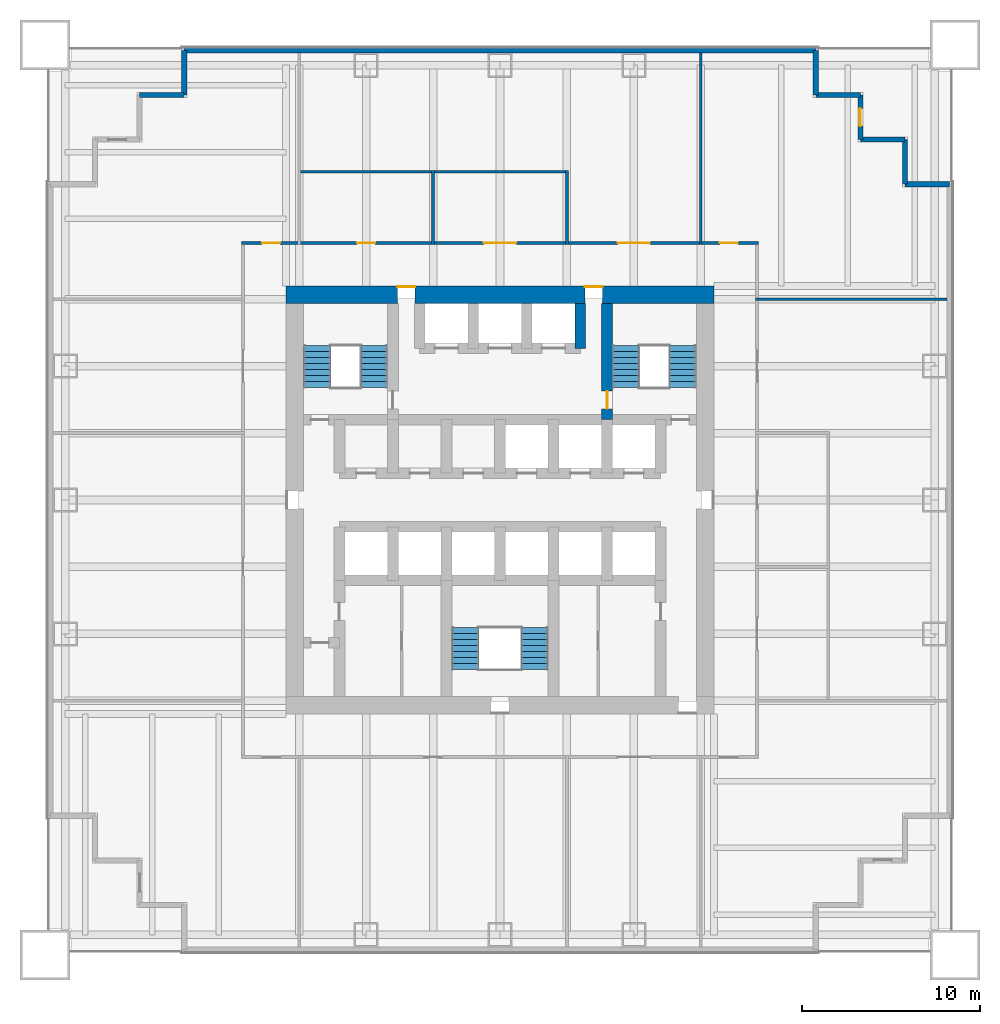
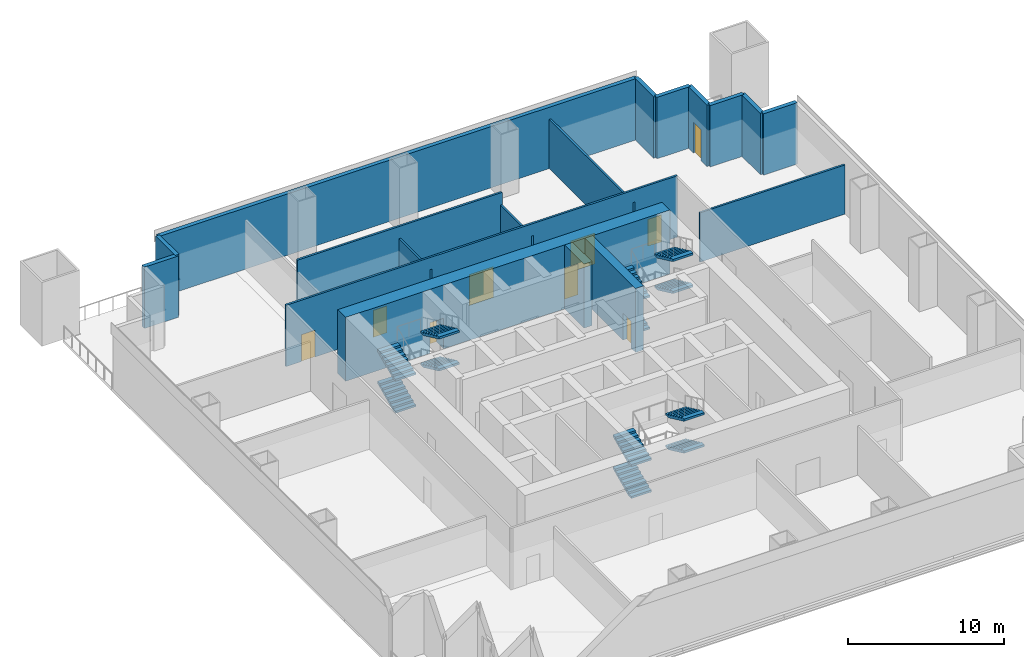
# One storey, part 4 of 6: 18 walls, 12 stair flights, 9 doors, 9 openings, 3 elements without a shape of their own.
"""IFC4 building model written with IfcOpenShell, lengths in metres."""

import ifcopenshell
import ifcopenshell.guid

model = None  # the IFC model being written
_history = None  # IfcOwnerHistory: only IFC2X3 demands one
_inside = {}  # id of a spatial element -> (the spatial element, [elements in it])
_under = {}  # id of a project, library or spatial element -> (it, [spatial elements below it])
_declared = {}  # id of a project -> (the project, [libraries it declares])
_typed = {}  # id of a type object -> (the type object, [elements of that type])
_made_of = {}  # id of a material, layer set ... -> (it, [elements and type objects made of it])


def new_model(schema):
    """Start an empty IFC model of exactly this schema.

    Asked for "IFC4X3", IfcOpenShell would pick the latest addendum, in which some entities
    have other attributes; the version numbers below select the first issue.
    IFC2X3 requires an IfcOwnerHistory on every rooted entity: one is made here for all.
    """
    global model, _history
    if schema == "IFC4X3":
        model = ifcopenshell.file(schema_version=(4, 3, 0, 0))
    else:
        model = ifcopenshell.file(schema=schema)
    _inside.clear()
    _under.clear()
    _declared.clear()
    _typed.clear()
    _made_of.clear()
    _history = None
    if model.schema == "IFC2X3":
        org = make("IfcOrganization", Name="unknown")
        user = make(
            "IfcPersonAndOrganization",
            ThePerson=make("IfcPerson", FamilyName="unknown"),
            TheOrganization=org,
        )
        app = make(
            "IfcApplication",
            ApplicationDeveloper=org,
            Version="unknown",
            ApplicationFullName="unknown",
            ApplicationIdentifier="unknown",
        )
        _history = make(
            "IfcOwnerHistory",
            OwningUser=user,
            OwningApplication=app,
            ChangeAction="ADDED",
            CreationDate=0,
        )
    return model


def make(cls, **values):
    """One entity of the class cls with the attributes given. An attribute that is None is left unset."""
    return model.create_entity(
        cls, **{name: value for name, value in values.items() if value is not None}
    )


def rooted(cls, **values):
    """An entity with a GlobalId (a new one), such as an element, a storey or a relation."""
    return make(cls, GlobalId=ifcopenshell.guid.new(), OwnerHistory=_history, **values)


def si_unit(unit_type, name, prefix=None):
    """IfcSIUnit, for example si_unit("LENGTHUNIT", "METRE", prefix="MILLI")."""
    return make("IfcSIUnit", UnitType=unit_type, Prefix=prefix, Name=name)


def assignment(units):
    """IfcUnitAssignment: the units of a project."""
    return None if units is None else make("IfcUnitAssignment", Units=units)


def point(xyz):
    """IfcCartesianPoint."""
    return None if xyz is None else make("IfcCartesianPoint", Coordinates=xyz)


def direction(xyz):
    """IfcDirection."""
    return None if xyz is None else make("IfcDirection", DirectionRatios=xyz)


def frame(location, z_axis=None, x_axis=None):
    """IfcAxis2Placement3D, a coordinate frame: its origin and axes. An axis left out is left unset."""
    return make(
        "IfcAxis2Placement3D",
        Location=point(location),
        Axis=direction(z_axis),
        RefDirection=direction(x_axis),
    )


def frame_2d(location, x_axis=None):
    """IfcAxis2Placement2D, a coordinate frame in the plane: its origin and x axis."""
    return make(
        "IfcAxis2Placement2D", Location=point(location), RefDirection=direction(x_axis)
    )


def origin():
    """The frame at (0, 0, 0) with its axes left unset."""
    return frame((0.0, 0.0, 0.0))


def place(relative_to, where):
    """IfcLocalPlacement: puts the frame where relative to a parent placement (None: the world)."""
    return make(
        "IfcLocalPlacement", PlacementRelTo=relative_to, RelativePlacement=where
    )


def context(
    kind, dimensions, precision=None, world=None, true_north=None, identifier=None
):
    """IfcGeometricRepresentationContext, for example the 3D "Model" context."""
    return make(
        "IfcGeometricRepresentationContext",
        ContextIdentifier=identifier,
        ContextType=kind,
        CoordinateSpaceDimension=dimensions,
        Precision=precision,
        WorldCoordinateSystem=world,
        TrueNorth=true_north,
    )


def subcontext(parent, identifier, kind, view, scale=None):
    """IfcGeometricRepresentationSubContext, for example "Body" below "Model"."""
    return make(
        "IfcGeometricRepresentationSubContext",
        ContextIdentifier=identifier,
        ContextType=kind,
        ParentContext=parent,
        TargetScale=scale,
        TargetView=view,
    )


def project(units=None, contexts=None):
    """IfcProject with its units and contexts."""
    return rooted(
        "IfcProject",
        Name="project",
        RepresentationContexts=contexts,
        UnitsInContext=assignment(units),
    )


def spatial(cls, under=None, at=None, **own):
    """A site, building, storey or space (cls), placed at a placement, below another one or the project."""
    s = rooted(cls, ObjectPlacement=at, **own)
    if under is not None:
        _under.setdefault(under.id(), (under, []))[1].append(s)
    return s


def polyline(points):
    """IfcPolyline through the points."""
    return make("IfcPolyline", Points=[point(p) for p in points])


def profile(cls, at=None, kind="AREA", **sizes):
    """A parametric profile (cls). Its sizes go by their IFC names, for example OverallWidth=200.0."""
    return make(cls, ProfileType=kind, Position=at, **sizes)


def rectangle(**sizes):
    """IfcRectangleProfileDef."""
    return profile("IfcRectangleProfileDef", **sizes)


def outline(outer, holes=None, kind="AREA"):
    """IfcArbitraryClosedProfileDef: a profile drawn as a closed curve; with holes, ...WithVoids."""
    if holes is None:
        return make("IfcArbitraryClosedProfileDef", ProfileType=kind, OuterCurve=outer)
    return make(
        "IfcArbitraryProfileDefWithVoids",
        ProfileType=kind,
        OuterCurve=outer,
        InnerCurves=holes,
    )


def extrude(swept, where, along, depth):
    """IfcExtrudedAreaSolid: the profile swept, set in the frame where, extruded along a direction by depth."""
    return make(
        "IfcExtrudedAreaSolid",
        SweptArea=swept,
        Position=where,
        ExtrudedDirection=direction(along),
        Depth=depth,
    )


def shape(context_of_items, identifier, shape_type, items):
    """IfcShapeRepresentation: the items that make up one representation, for example the "Body"."""
    return make(
        "IfcShapeRepresentation",
        ContextOfItems=context_of_items,
        RepresentationIdentifier=identifier,
        RepresentationType=shape_type,
        Items=items,
    )


def material(Name=None, Category=None):
    """IfcMaterial."""
    return make("IfcMaterial", Name=Name, Category=Category)


def layer(
    of_material, thickness, ventilated=None, Name=None, Category=None, Priority=None
):
    """IfcMaterialLayer: one layer of a wall or slab, of a material (None: an air gap)."""
    return make(
        "IfcMaterialLayer",
        Material=of_material,
        LayerThickness=thickness,
        IsVentilated=ventilated,
        Name=Name,
        Category=Category,
        Priority=Priority,
    )


def layer_set(layers, Name=None):
    """IfcMaterialLayerSet."""
    return make("IfcMaterialLayerSet", MaterialLayers=layers, LayerSetName=Name)


def made_of(thing, what):
    """Note that an element or type object is made of a material, layer set ...; save() writes the relation."""
    if what is not None:
        _made_of.setdefault(what.id(), (what, []))[1].append(thing)
    return thing


def type_object(cls, material=None, **own):
    """A type object (cls), such as IfcWallType, which elements share."""
    return made_of(rooted(cls, **own), material)


def element(
    cls,
    number,
    at=None,
    inside=None,
    cuts=None,
    type_object=None,
    material=None,
    context=None,
    identifier="Body",
    shape_type=None,
    held_by="IfcProductDefinitionShape",
    body=None,
    shapes=None,
    **own,
):
    """One element of the class cls, such as IfcWall. Its Tag is "e" and its number.

    at: its placement. inside: the storey or other place that contains it. cuts: it is an
    opening in that element (IfcRelVoidsElement). A single representation is given by context,
    identifier, shape_type and body (its items); several are given by shapes. held_by: the class
    of the entity that holds the representations. save() writes the other relations.
    """
    e = rooted(cls, Tag="e%d" % number, ObjectPlacement=at, **own)
    if body is not None:
        shapes = [shape(context, identifier, shape_type, body)]
    if shapes is not None:
        e.Representation = make(held_by, Representations=shapes)
    if inside is not None:
        _inside.setdefault(inside.id(), (inside, []))[1].append(e)
    if cuts is not None:
        rooted(
            "IfcRelVoidsElement", RelatingBuildingElement=cuts, RelatedOpeningElement=e
        )
    if type_object is not None:
        _typed.setdefault(type_object.id(), (type_object, []))[1].append(e)
    return made_of(e, material)


def fill(opening, filler):
    """IfcRelFillsElement: the door or window that sits in an opening."""
    return rooted(
        "IfcRelFillsElement",
        RelatingOpeningElement=opening,
        RelatedBuildingElement=filler,
    )


def aggregate(whole, parts):
    """IfcRelAggregates: a whole, such as a stair, and the parts it consists of."""
    return rooted("IfcRelAggregates", RelatingObject=whole, RelatedObjects=parts)


def save(model, path):
    """Write the relations noted so far, then the file.

    IfcRelAggregates (storeys below a building ...), IfcRelContainedInSpatialStructure (elements
    in a storey), IfcRelDefinesByType, IfcRelAssociatesMaterial and IfcRelDeclares: one each for
    every whole, place, type object, material and project.
    """
    for whole, parts in _under.values():
        aggregate(whole, parts)
    for where, things in _inside.values():
        rooted(
            "IfcRelContainedInSpatialStructure",
            RelatedElements=things,
            RelatingStructure=where,
        )
    for kind, things in _typed.values():
        rooted("IfcRelDefinesByType", RelatedObjects=things, RelatingType=kind)
    for what, things in _made_of.values():
        rooted("IfcRelAssociatesMaterial", RelatedObjects=things, RelatingMaterial=what)
    for by, libraries in _declared.values():
        rooted("IfcRelDeclares", RelatingContext=by, RelatedDefinitions=libraries)
    model.write(path)


model = new_model("IFC4")

# Units and contexts
model_context = context("Model", 3, precision=1e-05, world=origin(), true_north=direction((0.0, 1.0)))
body_context = subcontext(model_context, "Body", "Model", "MODEL_VIEW")
ifc_project = project(units=[si_unit("LENGTHUNIT", "METRE"), si_unit("AREAUNIT", "SQUARE_METRE"), si_unit("VOLUMEUNIT", "CUBIC_METRE"), si_unit("PLANEANGLEUNIT", "RADIAN"), si_unit("MASSUNIT", "GRAM", prefix="KILO")], contexts=[model_context])

# Site, building, storey
site_placement = place(None, origin())
site = spatial("IfcSite", under=ifc_project, at=site_placement, CompositionType="ELEMENT")
building_placement = place(site_placement, origin())
building = spatial("IfcBuilding", under=site, at=building_placement, Name="Tarangal Relay Tower", CompositionType="ELEMENT")
storey_placement = place(building_placement, frame((0.0, 0.0, 53.39990234375)))
storey = spatial("IfcBuildingStorey", under=building, at=storey_placement, Name="L10", CompositionType="ELEMENT", Elevation=53.39990234375)

# Wall, opening, door
ifc_material_1 = material(Name="Concrete fc' 60 MPa", Category="concrete")
ifc_layer_1 = layer(ifc_material_1, 0.60009765625)
ifc_layer_set_1 = layer_set([ifc_layer_1], Name="Core inner wall 600")
wall_type_1 = type_object("IfcWallType", Name="Core inner wall 600", PredefinedType="SHEAR", material=ifc_layer_set_1)
wall_1_placement = place(storey_placement, frame((6.0, 4.5, 0.0), z_axis=(0.0, 0.0, 1.0), x_axis=(0.0, 1.0, 0.0)))
wall_1 = element("IfcWall", 1, at=wall_1_placement, inside=storey, type_object=wall_type_1, Name="Core wall X6 L10", PredefinedType="SHEAR", context=body_context, shape_type="SweptSolid", body=[
    extrude(rectangle(XDim=6.5, YDim=0.60009765625, at=frame_2d((3.25, 0.0))), origin(), (0.0, 0.0, 1.0), 5.0),
])
opening_1_placement = place(wall_1_placement, frame((0.60009765625, 0.0, 0.0)))
opening_1 = element("IfcOpeningElement", 2, at=opening_1_placement, cuts=wall_1, Name="Opening FD1", PredefinedType="OPENING", context=body_context, shape_type="SweptSolid", body=[
    extrude(rectangle(XDim=1.0, YDim=2.10009765625, at=frame_2d((0.5, 1.050048828125))), frame((0.0, 0.31005859375, 0.0), z_axis=(0.0, -1.0, 0.0), x_axis=(1.0, 0.0, 0.0)), (0.0, 0.0, 1.0), 0.6201171875),
])
ifc_material_2 = material(Name="Steel door with hardwood frame", Category="steel")
door_type_1 = type_object("IfcDoorType", Name="Fire door 1000 x 2100", OperationType="SINGLE_SWING_LEFT", PredefinedType="DOOR", material=ifc_material_2)
door_1_placement = place(opening_1_placement, origin())
door_1 = element("IfcDoor", 3, at=door_1_placement, inside=storey, type_object=door_type_1, Name="Stair ST-B door from fire-fighting lobby L10", OperationType="SINGLE_SWING_LEFT", OverallHeight=2.10009765625, OverallWidth=1.0, PredefinedType="DOOR", context=body_context, shape_type="SweptSolid", body=[
    extrude(rectangle(XDim=1.0, YDim=2.10009765625, at=frame_2d((0.5, 1.050048828125))), frame((0.0, 0.02490234375, 0.0), z_axis=(0.0, -1.0, 0.0), x_axis=(1.0, 0.0, 0.0)), (0.0, 0.0, 1.0), 0.050048828125),
])
fill(opening_1, door_1)

# Wall
wall_2_placement = place(storey_placement, frame((4.5, 8.5, 0.0), z_axis=(0.0, 0.0, 1.0), x_axis=(0.0, 1.0, 0.0)))
element("IfcWall", 4, at=wall_2_placement, inside=storey, type_object=wall_type_1, Name="Core wall X45 L10", PredefinedType="SHEAR", context=body_context, shape_type="SweptSolid", body=[
    extrude(rectangle(XDim=2.5, YDim=0.60009765625, at=frame_2d((1.25, 0.0))), origin(), (0.0, 0.0, 1.0), 5.0),
])

# Wall, openings, doors
ifc_layer_2 = layer(ifc_material_1, 1.0)
ifc_layer_set_2 = layer_set([ifc_layer_2], Name="Core wall 1000")
wall_type_2 = type_object("IfcWallType", Name="Core wall 1000", PredefinedType="SHEAR", material=ifc_layer_set_2)
wall_3_placement = place(storey_placement, frame((-12.0, 11.5, 0.0), z_axis=(0.0, 0.0, 1.0), x_axis=(1.0, 0.0, 0.0)))
wall_3 = element("IfcWall", 5, at=wall_3_placement, inside=storey, type_object=wall_type_2, Name="Core wall N L10", PredefinedType="SHEAR", context=body_context, shape_type="SweptSolid", body=[
    extrude(rectangle(XDim=24.0, YDim=1.0, at=frame_2d((12.0, 0.0))), origin(), (0.0, 0.0, 1.0), 5.0),
])
opening_2_placement = place(wall_3_placement, frame((6.25, 0.0, 0.0)))
opening_2 = element("IfcOpeningElement", 6, at=opening_2_placement, cuts=wall_3, Name="Opening FD3", PredefinedType="OPENING", context=body_context, shape_type="SweptSolid", body=[
    extrude(rectangle(XDim=1.0, YDim=2.39990234375, at=frame_2d((0.5, 1.199951171875))), frame((0.0, 0.510009765625, 0.0), z_axis=(0.0, -1.0, 0.0), x_axis=(1.0, 0.0, 0.0)), (0.0, 0.0, 1.0), 1.02001953125),
])
opening_3_placement = place(wall_3_placement, frame((16.75, 0.0, 0.0)))
opening_3 = element("IfcOpeningElement", 7, at=opening_3_placement, cuts=wall_3, Name="Opening FD3", PredefinedType="OPENING", context=body_context, shape_type="SweptSolid", body=[
    extrude(rectangle(XDim=1.0, YDim=2.39990234375, at=frame_2d((0.5, 1.199951171875))), frame((0.0, 0.510009765625, 0.0), z_axis=(0.0, -1.0, 0.0), x_axis=(1.0, 0.0, 0.0)), (0.0, 0.0, 1.0), 1.02001953125),
])
door_type_2 = type_object("IfcDoorType", Name="Fire door 1000 x 2400 core entry", OperationType="SINGLE_SWING_RIGHT", PredefinedType="DOOR", material=ifc_material_2)
door_2_placement = place(opening_2_placement, origin())
door_2 = element("IfcDoor", 8, at=door_2_placement, inside=storey, type_object=door_type_2, Name="Core entry door north west L10", OperationType="SINGLE_SWING_RIGHT", OverallHeight=2.39990234375, OverallWidth=1.0, PredefinedType="DOOR", context=body_context, shape_type="SweptSolid", body=[
    extrude(rectangle(XDim=1.0, YDim=2.39990234375, at=frame_2d((0.5, 1.199951171875))), frame((0.0, 0.48486328125, 0.0), z_axis=(0.0, -1.0, 0.0), x_axis=(1.0, 0.0, 0.0)), (0.0, 0.0, 1.0), 0.050048828125),
])
fill(opening_2, door_2)
door_3_placement = place(opening_3_placement, origin())
door_3 = element("IfcDoor", 9, at=door_3_placement, inside=storey, type_object=door_type_2, Name="Core entry door north east L10", OperationType="SINGLE_SWING_RIGHT", OverallHeight=2.39990234375, OverallWidth=1.0, PredefinedType="DOOR", context=body_context, shape_type="SweptSolid", body=[
    extrude(rectangle(XDim=1.0, YDim=2.39990234375, at=frame_2d((0.5, 1.199951171875))), frame((0.0, 0.48486328125, 0.0), z_axis=(0.0, -1.0, 0.0), x_axis=(1.0, 0.0, 0.0)), (0.0, 0.0, 1.0), 0.050048828125),
])
fill(opening_3, door_3)

# Walls
ifc_material_3 = material(Name="Insulated precast concrete fc' 40 MPa", Category="concrete")
ifc_layer_3 = layer(ifc_material_3, 0.300048828125)
ifc_layer_set_3 = layer_set([ifc_layer_3], Name="Insulated precast concrete fc' 40 MPa")
wall_type_3 = type_object("IfcWallType", Name="Facade wall precast 300", PredefinedType="SOLIDWALL", material=ifc_layer_set_3)
wall_4_placement = place(storey_placement, frame((-17.699951171875, 25.199951171875, 0.0), z_axis=(0.0, 0.0, 1.0), x_axis=(1.0, 0.0, 0.0)))
element("IfcWall", 10, at=wall_4_placement, inside=storey, type_object=wall_type_3, Name="Facade wall N facade L10", PredefinedType="SOLIDWALL", context=body_context, shape_type="SweptSolid", body=[
    extrude(rectangle(XDim=35.39990234375, YDim=0.300048828125, at=frame_2d((17.699951171875, 0.0))), origin(), (0.0, 0.0, 1.0), 4.800048828125),
])
for number, where, z_axis, x_axis, name in (
    (11, (17.699951171875, 25.199951171875, 0.0), (0.0, 0.0, 1.0), (0.0, -1.0, 0.0), "Facade wall N facade L10"),
    (12, (17.699951171875, 22.699951171875, 0.0), (0.0, 0.0, 1.0), (1.0, 0.0, 0.0), "Facade wall N facade L10"),
):
    element("IfcWall", number, at=place(storey_placement, frame(where, z_axis=z_axis, x_axis=x_axis)), inside=storey, type_object=wall_type_3, Name=name, PredefinedType="SOLIDWALL", context=body_context, shape_type="SweptSolid", body=[
        extrude(rectangle(XDim=2.5, YDim=0.300048828125, at=frame_2d((1.25, 0.0))), origin(), (0.0, 0.0, 1.0), 4.800048828125),
    ])

# Wall, opening, door
wall_5_placement = place(storey_placement, frame((20.199951171875, 22.699951171875, 0.0), z_axis=(0.0, 0.0, 1.0), x_axis=(0.0, -1.0, 0.0)))
wall_5 = element("IfcWall", 13, at=wall_5_placement, inside=storey, type_object=wall_type_3, Name="Facade wall N facade L10", PredefinedType="SOLIDWALL", context=body_context, shape_type="SweptSolid", body=[
    extrude(rectangle(XDim=2.5, YDim=0.300048828125, at=frame_2d((1.25, 0.0))), origin(), (0.0, 0.0, 1.0), 4.800048828125),
])
opening_4_placement = place(wall_5_placement, frame((0.75, 0.0, 0.0)))
opening_4 = element("IfcOpeningElement", 14, at=opening_4_placement, cuts=wall_5, Name="Opening TD1", PredefinedType="OPENING", context=body_context, shape_type="SweptSolid", body=[
    extrude(rectangle(XDim=1.0, YDim=2.39990234375, at=frame_2d((0.5, 1.199951171875))), frame((0.0, 0.159912109375, 0.0), z_axis=(0.0, -1.0, 0.0), x_axis=(1.0, 0.0, 0.0)), (0.0, 0.0, 1.0), 0.320068359375),
])
ifc_material_4 = material(Name="Aluminium glazed door", Category="aluminium")
door_type_3 = type_object("IfcDoorType", Name="Terrace door 1000 x 2400", OperationType="SINGLE_SWING_RIGHT", PredefinedType="DOOR", material=ifc_material_4)
door_4_placement = place(opening_4_placement, origin())
door_4 = element("IfcDoor", 15, at=door_4_placement, inside=storey, type_object=door_type_3, Name="Terrace door TD1 NE L10", OperationType="SINGLE_SWING_RIGHT", OverallHeight=2.39990234375, OverallWidth=1.0, PredefinedType="DOOR", context=body_context, shape_type="SweptSolid", body=[
    extrude(rectangle(XDim=1.0, YDim=2.39990234375, at=frame_2d((0.5, 1.199951171875))), frame((0.0, 0.02490234375, 0.0), z_axis=(0.0, -1.0, 0.0), x_axis=(1.0, 0.0, 0.0)), (0.0, 0.0, 1.0), 0.050048828125),
])
fill(opening_4, door_4)

# Walls
for number, where, z_axis, x_axis, name in (
    (16, (20.199951171875, 20.199951171875, 0.0), (0.0, 0.0, 1.0), (1.0, 0.0, 0.0), "Facade wall N facade L10"),
    (17, (22.699951171875, 20.199951171875, 0.0), (0.0, 0.0, 1.0), (0.0, -1.0, 0.0), "Facade wall N facade L10"),
    (18, (22.699951171875, 17.699951171875, 0.0), (0.0, 0.0, 1.0), (1.0, 0.0, 0.0), "Facade wall N facade L10"),
    (19, (-20.199951171875, 22.699951171875, 0.0), (0.0, 0.0, 1.0), (1.0, 0.0, 0.0), "Facade wall W facade L10"),
    (20, (-17.699951171875, 22.699951171875, 0.0), (0.0, 0.0, 1.0), (0.0, 1.0, 0.0), "Facade wall W facade L10"),
):
    element("IfcWall", number, at=place(storey_placement, frame(where, z_axis=z_axis, x_axis=x_axis)), inside=storey, type_object=wall_type_3, Name=name, PredefinedType="SOLIDWALL", context=body_context, shape_type="SweptSolid", body=[
        extrude(rectangle(XDim=2.5, YDim=0.300048828125, at=frame_2d((1.25, 0.0))), origin(), (0.0, 0.0, 1.0), 4.800048828125),
    ])
ifc_material_5 = material(Name="Gypsum board on steel studs", Category="steel")
ifc_layer_4 = layer(ifc_material_5, 0.14990234375)
ifc_layer_set_4 = layer_set([ifc_layer_4], Name="Partition 150")
wall_type_4 = type_object("IfcWallType", Name="Partition 150", PredefinedType="PARTITIONING", material=ifc_layer_set_4)
wall_6_placement = place(storey_placement, frame((14.324951171875, 11.25, 0.0), z_axis=(0.0, 0.0, 1.0), x_axis=(1.0, 0.0, 0.0)))
element("IfcWall", 21, at=wall_6_placement, inside=storey, type_object=wall_type_4, Name="Partition PT1 L10", PredefinedType="PARTITIONING", context=body_context, shape_type="SweptSolid", body=[
    extrude(rectangle(XDim=10.72509765625, YDim=0.14990234375, at=frame_2d((5.362548828125, 0.0))), origin(), (0.0, 0.0, 1.0), 3.852783203125),
])

# Wall, openings, doors
wall_7_placement = place(storey_placement, frame((-14.47509765625, 14.39990234375, 0.0), z_axis=(0.0, 0.0, 1.0), x_axis=(1.0, 0.0, 0.0)))
wall_7 = element("IfcWall", 22, at=wall_7_placement, inside=storey, type_object=wall_type_4, Name="Partition PT1 L10", PredefinedType="PARTITIONING", context=body_context, shape_type="SweptSolid", body=[
    extrude(rectangle(XDim=28.9501953125, YDim=0.14990234375, at=frame_2d((14.47509765625, 0.0))), origin(), (0.0, 0.0, 1.0), 4.800048828125),
])
opening_5_placement = place(wall_7_placement, frame((6.47509765625, 0.0, 0.0)))
opening_5 = element("IfcOpeningElement", 23, at=opening_5_placement, cuts=wall_7, Name="Opening D2", PredefinedType="OPENING", context=body_context, shape_type="SweptSolid", body=[
    extrude(rectangle(XDim=1.0, YDim=2.10009765625, at=frame_2d((0.5, 1.050048828125))), frame((0.0, 0.0849609375, 0.0), z_axis=(0.0, -1.0, 0.0), x_axis=(1.0, 0.0, 0.0)), (0.0, 0.0, 1.0), 0.169921875),
])
opening_6_placement = place(wall_7_placement, frame((21.074951171875, 0.0, 0.0)))
opening_6 = element("IfcOpeningElement", 24, at=opening_6_placement, cuts=wall_7, Name="Opening DD1", PredefinedType="OPENING", context=body_context, shape_type="SweptSolid", body=[
    extrude(rectangle(XDim=1.800048828125, YDim=2.39990234375, at=frame_2d((0.89990234375, 1.199951171875))), frame((0.0, 0.0849609375, 0.0), z_axis=(0.0, -1.0, 0.0), x_axis=(1.0, 0.0, 0.0)), (0.0, 0.0, 1.0), 0.169921875),
])
opening_7_placement = place(wall_7_placement, frame((13.574951171875, 0.0, 0.0)))
opening_7 = element("IfcOpeningElement", 25, at=opening_7_placement, cuts=wall_7, Name="Opening DD1", PredefinedType="OPENING", context=body_context, shape_type="SweptSolid", body=[
    extrude(rectangle(XDim=1.800048828125, YDim=2.39990234375, at=frame_2d((0.89990234375, 1.199951171875))), frame((0.0, 0.0849609375, 0.0), z_axis=(0.0, -1.0, 0.0), x_axis=(1.0, 0.0, 0.0)), (0.0, 0.0, 1.0), 0.169921875),
])
opening_8_placement = place(wall_7_placement, frame((26.800048828125, 0.0, 0.0)))
opening_8 = element("IfcOpeningElement", 26, at=opening_8_placement, cuts=wall_7, Name="Opening D2", PredefinedType="OPENING", context=body_context, shape_type="SweptSolid", body=[
    extrude(rectangle(XDim=1.0, YDim=2.10009765625, at=frame_2d((0.5, 1.050048828125))), frame((0.0, 0.0849609375, 0.0), z_axis=(0.0, -1.0, 0.0), x_axis=(1.0, 0.0, 0.0)), (0.0, 0.0, 1.0), 0.169921875),
])
opening_9_placement = place(wall_7_placement, frame((1.14990234375, 0.0, 0.0)))
opening_9 = element("IfcOpeningElement", 27, at=opening_9_placement, cuts=wall_7, Name="Opening D2", PredefinedType="OPENING", context=body_context, shape_type="SweptSolid", body=[
    extrude(rectangle(XDim=1.0, YDim=2.10009765625, at=frame_2d((0.5, 1.050048828125))), frame((0.0, 0.0849609375, 0.0), z_axis=(0.0, -1.0, 0.0), x_axis=(1.0, 0.0, 0.0)), (0.0, 0.0, 1.0), 0.169921875),
])
ifc_material_6 = material(Name="Hardwood door", Category="wood")
door_type_4 = type_object("IfcDoorType", Name="Door 1000 x 2100", OperationType="SINGLE_SWING_LEFT", PredefinedType="DOOR", material=ifc_material_6)
door_5_placement = place(opening_5_placement, origin())
door_5 = element("IfcDoor", 28, at=door_5_placement, inside=storey, type_object=door_type_4, Name="Door D2 to customer meeting room L10-02", OperationType="SINGLE_SWING_LEFT", OverallHeight=2.10009765625, OverallWidth=1.0, PredefinedType="DOOR", context=body_context, shape_type="SweptSolid", body=[
    extrude(rectangle(XDim=1.0, YDim=2.10009765625, at=frame_2d((0.5, 1.050048828125))), frame((0.0, 0.02490234375, 0.0), z_axis=(0.0, -1.0, 0.0), x_axis=(1.0, 0.0, 0.0)), (0.0, 0.0, 1.0), 0.050048828125),
])
fill(opening_5, door_5)
door_6_placement = place(opening_8_placement, origin())
door_6 = element("IfcDoor", 29, at=door_6_placement, inside=storey, type_object=door_type_4, Name="Door D2 to customer office L10-12", OperationType="SINGLE_SWING_LEFT", OverallHeight=2.10009765625, OverallWidth=1.0, PredefinedType="DOOR", context=body_context, shape_type="SweptSolid", body=[
    extrude(rectangle(XDim=1.0, YDim=2.10009765625, at=frame_2d((0.5, 1.050048828125))), frame((0.0, 0.02490234375, 0.0), z_axis=(0.0, -1.0, 0.0), x_axis=(1.0, 0.0, 0.0)), (0.0, 0.0, 1.0), 0.050048828125),
])
fill(opening_8, door_6)
door_7_placement = place(opening_9_placement, origin())
door_7 = element("IfcDoor", 30, at=door_7_placement, inside=storey, type_object=door_type_4, Name="Door D2 to network operations room L10-15", OperationType="SINGLE_SWING_LEFT", OverallHeight=2.10009765625, OverallWidth=1.0, PredefinedType="DOOR", context=body_context, shape_type="SweptSolid", body=[
    extrude(rectangle(XDim=1.0, YDim=2.10009765625, at=frame_2d((0.5, 1.050048828125))), frame((0.0, 0.02490234375, 0.0), z_axis=(0.0, -1.0, 0.0), x_axis=(1.0, 0.0, 0.0)), (0.0, 0.0, 1.0), 0.050048828125),
])
fill(opening_9, door_7)
door_type_5 = type_object("IfcDoorType", Name="Equipment double door 1800 x 2400", OperationType="DOUBLE_DOOR_SINGLE_SWING", PredefinedType="DOOR", material=ifc_material_2)
door_8_placement = place(opening_6_placement, origin())
door_8 = element("IfcDoor", 31, at=door_8_placement, inside=storey, type_object=door_type_5, Name="Door DD1 to data hall L10-03", OperationType="DOUBLE_DOOR_SINGLE_SWING", OverallHeight=2.39990234375, OverallWidth=1.800048828125, PredefinedType="DOOR", context=body_context, shape_type="SweptSolid", body=[
    extrude(rectangle(XDim=1.800048828125, YDim=2.39990234375, at=frame_2d((0.89990234375, 1.199951171875))), frame((0.0, 0.02490234375, 0.0), z_axis=(0.0, -1.0, 0.0), x_axis=(1.0, 0.0, 0.0)), (0.0, 0.0, 1.0), 0.050048828125),
])
fill(opening_6, door_8)
door_9_placement = place(opening_7_placement, origin())
door_9 = element("IfcDoor", 32, at=door_9_placement, inside=storey, type_object=door_type_5, Name="Door DD1 to network equipment room L10-04", OperationType="DOUBLE_DOOR_SINGLE_SWING", OverallHeight=2.39990234375, OverallWidth=1.800048828125, PredefinedType="DOOR", context=body_context, shape_type="SweptSolid", body=[
    extrude(rectangle(XDim=1.800048828125, YDim=2.39990234375, at=frame_2d((0.89990234375, 1.199951171875))), frame((0.0, 0.02490234375, 0.0), z_axis=(0.0, -1.0, 0.0), x_axis=(1.0, 0.0, 0.0)), (0.0, 0.0, 1.0), 0.050048828125),
])
fill(opening_7, door_9)

# Walls
wall_8_placement = place(storey_placement, frame((-11.324951171875, 18.39990234375, 0.0), z_axis=(0.0, 0.0, 1.0), x_axis=(1.0, 0.0, 0.0)))
element("IfcWall", 33, at=wall_8_placement, inside=storey, type_object=wall_type_4, Name="Partition PT1 L10", PredefinedType="PARTITIONING", context=body_context, shape_type="SweptSolid", body=[
    extrude(rectangle(XDim=15.14990234375, YDim=0.14990234375, at=frame_2d((7.574951171875, 0.0))), origin(), (0.0, 0.0, 1.0), 4.800048828125),
])
for number, where, z_axis, x_axis, name in (
    (34, (-3.75, 14.324951171875, 0.0), (0.0, 0.0, 1.0), (0.0, 1.0, 0.0), "Partition PT1 L10"),
    (35, (3.75, 14.324951171875, 0.0), (0.0, 0.0, 1.0), (0.0, 1.0, 0.0), "Partition PT1 L10"),
):
    element("IfcWall", number, at=place(storey_placement, frame(where, z_axis=z_axis, x_axis=x_axis)), inside=storey, type_object=wall_type_4, Name=name, PredefinedType="PARTITIONING", context=body_context, shape_type="SweptSolid", body=[
        extrude(rectangle(XDim=4.150146484375, YDim=0.14990234375, at=frame_2d((2.0751953125, 0.0))), origin(), (0.0, 0.0, 1.0), 3.852783203125),
    ])
wall_9_placement = place(storey_placement, frame((11.25, 14.324951171875, 0.0), z_axis=(0.0, 0.0, 1.0), x_axis=(0.0, 1.0, 0.0)))
element("IfcWall", 36, at=wall_9_placement, inside=storey, type_object=wall_type_4, Name="Partition PT1 L10", PredefinedType="PARTITIONING", context=body_context, shape_type="SweptSolid", body=[
    extrude(rectangle(XDim=10.72509765625, YDim=0.14990234375, at=frame_2d((5.362548828125, 0.0))), origin(), (0.0, 0.0, 1.0), 3.852783203125),
])

# Stair, stair flights
ifc_material_7 = material(Name="Steel ASTM A992 stair flight", Category="steel")
stair_type = type_object("IfcStairType", Name="Core stair 1500", PredefinedType="HALF_TURN_STAIR", material=ifc_material_7)
stair_1_placement = place(storey_placement, origin())
stair_1 = element("IfcStair", 37, at=stair_1_placement, inside=storey, type_object=stair_type, Name="Stair ST-A L10", PredefinedType="HALF_TURN_STAIR")
stair_flight_type = type_object("IfcStairFlightType", Name="Steel stair flight 1500, 8 risers 156 x 335", PredefinedType="STRAIGHT", material=ifc_material_7)
stair_flight_1_placement = place(storey_placement, frame((-10.25, 6.300048828125, 0.0), z_axis=(0.0, 0.0, 1.0), x_axis=(0.0, 1.0, 0.0)))
stair_flight_1 = element("IfcStairFlight", 38, at=stair_flight_1_placement, type_object=stair_flight_type, Name="ST-A flight 1", NumberOfRisers=8, NumberOfTreads=7, PredefinedType="STRAIGHT", RiserHeight=0.15625, TreadLength=0.335, context=body_context, shape_type="SweptSolid", body=[
    extrude(outline(polyline([(0.0, 0.0), (0.0, 0.15625), (0.3349609375, 0.15625), (0.3349609375, 0.3125), (0.669921875, 0.3125), (0.669921875, 0.46875), (1.0048828125, 0.46875), (1.0048828125, 0.625), (1.340087890625, 0.625), (1.340087890625, 0.78125), (1.675048828125, 0.78125), (1.675048828125, 0.9375), (2.010009765625, 0.9375), (2.010009765625, 1.09375), (2.344970703125, 1.09375), (2.344970703125, 1.25), (2.344970703125, 0.92822265625), (0.354736328125, 0.0), (0.0, 0.0)])), frame((0.0, 0.75, 0.0), z_axis=(0.0, -1.0, 0.0), x_axis=(1.0, 0.0, 0.0)), (0.0, 0.0, 1.0), 1.5),
])
stair_flight_2_placement = place(storey_placement, frame((-7.050048828125, 8.64501953125, 1.25), z_axis=(0.0, 0.0, 1.0), x_axis=(0.0, -1.0, 0.0)))
stair_flight_2 = element("IfcStairFlight", 39, at=stair_flight_2_placement, type_object=stair_flight_type, Name="ST-A flight 2", NumberOfRisers=8, NumberOfTreads=7, PredefinedType="STRAIGHT", RiserHeight=0.15625, TreadLength=0.335, context=body_context, shape_type="SweptSolid", body=[
    extrude(outline(polyline([(0.0, 0.0), (0.0, 0.15625), (0.3349609375, 0.15625), (0.3349609375, 0.3125), (0.669921875, 0.3125), (0.669921875, 0.46875), (1.0048828125, 0.46875), (1.0048828125, 0.625), (1.340087890625, 0.625), (1.340087890625, 0.78125), (1.675048828125, 0.78125), (1.675048828125, 0.9375), (2.010009765625, 0.9375), (2.010009765625, 1.09375), (2.344970703125, 1.09375), (2.344970703125, 1.25), (2.344970703125, 0.92822265625), (0.354736328125, 0.0), (0.0, 0.0)])), frame((0.0, 0.75, 0.0), z_axis=(0.0, -1.0, 0.0), x_axis=(1.0, 0.0, 0.0)), (0.0, 0.0, 1.0), 1.5),
])
stair_flight_3_placement = place(storey_placement, frame((-10.25, 6.300048828125, 2.5), z_axis=(0.0, 0.0, 1.0), x_axis=(0.0, 1.0, 0.0)))
stair_flight_3 = element("IfcStairFlight", 40, at=stair_flight_3_placement, type_object=stair_flight_type, Name="ST-A flight 3", NumberOfRisers=8, NumberOfTreads=7, PredefinedType="STRAIGHT", RiserHeight=0.15625, TreadLength=0.335, context=body_context, shape_type="SweptSolid", body=[
    extrude(outline(polyline([(0.0, 0.0), (0.0, 0.15625), (0.3349609375, 0.15625), (0.3349609375, 0.3125), (0.669921875, 0.3125), (0.669921875, 0.46875), (1.0048828125, 0.46875), (1.0048828125, 0.625), (1.340087890625, 0.625), (1.340087890625, 0.78125), (1.675048828125, 0.78125), (1.675048828125, 0.9375), (2.010009765625, 0.9375), (2.010009765625, 1.09375), (2.344970703125, 1.09375), (2.344970703125, 1.25), (2.344970703125, 0.92822265625), (0.354736328125, 0.0), (0.0, 0.0)])), frame((0.0, 0.75, 0.0), z_axis=(0.0, -1.0, 0.0), x_axis=(1.0, 0.0, 0.0)), (0.0, 0.0, 1.0), 1.5),
])
stair_flight_4_placement = place(storey_placement, frame((-7.050048828125, 8.64501953125, 3.75), z_axis=(0.0, 0.0, 1.0), x_axis=(0.0, -1.0, 0.0)))
stair_flight_4 = element("IfcStairFlight", 41, at=stair_flight_4_placement, type_object=stair_flight_type, Name="ST-A flight 4", NumberOfRisers=8, NumberOfTreads=7, PredefinedType="STRAIGHT", RiserHeight=0.15625, TreadLength=0.335, context=body_context, shape_type="SweptSolid", body=[
    extrude(outline(polyline([(0.0, 0.0), (0.0, 0.15625), (0.3349609375, 0.15625), (0.3349609375, 0.3125), (0.669921875, 0.3125), (0.669921875, 0.46875), (1.0048828125, 0.46875), (1.0048828125, 0.625), (1.340087890625, 0.625), (1.340087890625, 0.78125), (1.675048828125, 0.78125), (1.675048828125, 0.9375), (2.010009765625, 0.9375), (2.010009765625, 1.09375), (2.344970703125, 1.09375), (2.344970703125, 1.25), (2.344970703125, 0.92822265625), (0.354736328125, 0.0), (0.0, 0.0)])), frame((0.0, 0.75, 0.0), z_axis=(0.0, -1.0, 0.0), x_axis=(1.0, 0.0, 0.0)), (0.0, 0.0, 1.0), 1.5),
])
aggregate(stair_1, [stair_flight_1, stair_flight_2, stair_flight_3, stair_flight_4])

stair_2_placement = place(storey_placement, origin())
stair_2 = element("IfcStair", 42, at=stair_2_placement, inside=storey, type_object=stair_type, Name="Stair ST-B L10", PredefinedType="HALF_TURN_STAIR")
stair_flight_5_placement = place(storey_placement, frame((7.050048828125, 6.300048828125, 0.0), z_axis=(0.0, 0.0, 1.0), x_axis=(0.0, 1.0, 0.0)))
stair_flight_5 = element("IfcStairFlight", 43, at=stair_flight_5_placement, type_object=stair_flight_type, Name="ST-B flight 1", NumberOfRisers=8, NumberOfTreads=7, PredefinedType="STRAIGHT", RiserHeight=0.15625, TreadLength=0.335, context=body_context, shape_type="SweptSolid", body=[
    extrude(outline(polyline([(0.0, 0.0), (0.0, 0.15625), (0.3349609375, 0.15625), (0.3349609375, 0.3125), (0.669921875, 0.3125), (0.669921875, 0.46875), (1.0048828125, 0.46875), (1.0048828125, 0.625), (1.340087890625, 0.625), (1.340087890625, 0.78125), (1.675048828125, 0.78125), (1.675048828125, 0.9375), (2.010009765625, 0.9375), (2.010009765625, 1.09375), (2.344970703125, 1.09375), (2.344970703125, 1.25), (2.344970703125, 0.92822265625), (0.354736328125, 0.0), (0.0, 0.0)])), frame((0.0, 0.75, 0.0), z_axis=(0.0, -1.0, 0.0), x_axis=(1.0, 0.0, 0.0)), (0.0, 0.0, 1.0), 1.5),
])
stair_flight_6_placement = place(storey_placement, frame((10.25, 8.64501953125, 1.25), z_axis=(0.0, 0.0, 1.0), x_axis=(0.0, -1.0, 0.0)))
stair_flight_6 = element("IfcStairFlight", 44, at=stair_flight_6_placement, type_object=stair_flight_type, Name="ST-B flight 2", NumberOfRisers=8, NumberOfTreads=7, PredefinedType="STRAIGHT", RiserHeight=0.15625, TreadLength=0.335, context=body_context, shape_type="SweptSolid", body=[
    extrude(outline(polyline([(0.0, 0.0), (0.0, 0.15625), (0.3349609375, 0.15625), (0.3349609375, 0.3125), (0.669921875, 0.3125), (0.669921875, 0.46875), (1.0048828125, 0.46875), (1.0048828125, 0.625), (1.340087890625, 0.625), (1.340087890625, 0.78125), (1.675048828125, 0.78125), (1.675048828125, 0.9375), (2.010009765625, 0.9375), (2.010009765625, 1.09375), (2.344970703125, 1.09375), (2.344970703125, 1.25), (2.344970703125, 0.92822265625), (0.354736328125, 0.0), (0.0, 0.0)])), frame((0.0, 0.75, 0.0), z_axis=(0.0, -1.0, 0.0), x_axis=(1.0, 0.0, 0.0)), (0.0, 0.0, 1.0), 1.5),
])
stair_flight_7_placement = place(storey_placement, frame((7.050048828125, 6.300048828125, 2.5), z_axis=(0.0, 0.0, 1.0), x_axis=(0.0, 1.0, 0.0)))
stair_flight_7 = element("IfcStairFlight", 45, at=stair_flight_7_placement, type_object=stair_flight_type, Name="ST-B flight 3", NumberOfRisers=8, NumberOfTreads=7, PredefinedType="STRAIGHT", RiserHeight=0.15625, TreadLength=0.335, context=body_context, shape_type="SweptSolid", body=[
    extrude(outline(polyline([(0.0, 0.0), (0.0, 0.15625), (0.3349609375, 0.15625), (0.3349609375, 0.3125), (0.669921875, 0.3125), (0.669921875, 0.46875), (1.0048828125, 0.46875), (1.0048828125, 0.625), (1.340087890625, 0.625), (1.340087890625, 0.78125), (1.675048828125, 0.78125), (1.675048828125, 0.9375), (2.010009765625, 0.9375), (2.010009765625, 1.09375), (2.344970703125, 1.09375), (2.344970703125, 1.25), (2.344970703125, 0.92822265625), (0.354736328125, 0.0), (0.0, 0.0)])), frame((0.0, 0.75, 0.0), z_axis=(0.0, -1.0, 0.0), x_axis=(1.0, 0.0, 0.0)), (0.0, 0.0, 1.0), 1.5),
])
stair_flight_8_placement = place(storey_placement, frame((10.25, 8.64501953125, 3.75), z_axis=(0.0, 0.0, 1.0), x_axis=(0.0, -1.0, 0.0)))
stair_flight_8 = element("IfcStairFlight", 46, at=stair_flight_8_placement, type_object=stair_flight_type, Name="ST-B flight 4", NumberOfRisers=8, NumberOfTreads=7, PredefinedType="STRAIGHT", RiserHeight=0.15625, TreadLength=0.335, context=body_context, shape_type="SweptSolid", body=[
    extrude(outline(polyline([(0.0, 0.0), (0.0, 0.15625), (0.3349609375, 0.15625), (0.3349609375, 0.3125), (0.669921875, 0.3125), (0.669921875, 0.46875), (1.0048828125, 0.46875), (1.0048828125, 0.625), (1.340087890625, 0.625), (1.340087890625, 0.78125), (1.675048828125, 0.78125), (1.675048828125, 0.9375), (2.010009765625, 0.9375), (2.010009765625, 1.09375), (2.344970703125, 1.09375), (2.344970703125, 1.25), (2.344970703125, 0.92822265625), (0.354736328125, 0.0), (0.0, 0.0)])), frame((0.0, 0.75, 0.0), z_axis=(0.0, -1.0, 0.0), x_axis=(1.0, 0.0, 0.0)), (0.0, 0.0, 1.0), 1.5),
])
aggregate(stair_2, [stair_flight_5, stair_flight_6, stair_flight_7, stair_flight_8])

stair_3_placement = place(storey_placement, origin())
stair_3 = element("IfcStair", 47, at=stair_3_placement, inside=storey, type_object=stair_type, Name="Stair ST-C L10", PredefinedType="HALF_TURN_STAIR")
stair_flight_9_placement = place(storey_placement, frame((-1.949951171875, -9.5, 0.0), z_axis=(0.0, 0.0, 1.0), x_axis=(0.0, 1.0, 0.0)))
stair_flight_9 = element("IfcStairFlight", 48, at=stair_flight_9_placement, type_object=stair_flight_type, Name="ST-C flight 1", NumberOfRisers=8, NumberOfTreads=7, PredefinedType="STRAIGHT", RiserHeight=0.15625, TreadLength=0.335, context=body_context, shape_type="SweptSolid", body=[
    extrude(outline(polyline([(0.0, 0.0), (0.0, 0.15625), (0.3349609375, 0.15625), (0.3349609375, 0.3125), (0.669921875, 0.3125), (0.669921875, 0.46875), (1.0048828125, 0.46875), (1.0048828125, 0.625), (1.340087890625, 0.625), (1.340087890625, 0.78125), (1.675048828125, 0.78125), (1.675048828125, 0.9375), (2.010009765625, 0.9375), (2.010009765625, 1.09375), (2.344970703125, 1.09375), (2.344970703125, 1.25), (2.344970703125, 0.92822265625), (0.354736328125, 0.0), (0.0, 0.0)])), frame((0.0, 0.75, 0.0), z_axis=(0.0, -1.0, 0.0), x_axis=(1.0, 0.0, 0.0)), (0.0, 0.0, 1.0), 1.5),
])
stair_flight_10_placement = place(storey_placement, frame((1.949951171875, -7.155029296875, 1.25), z_axis=(0.0, 0.0, 1.0), x_axis=(0.0, -1.0, 0.0)))
stair_flight_10 = element("IfcStairFlight", 49, at=stair_flight_10_placement, type_object=stair_flight_type, Name="ST-C flight 2", NumberOfRisers=8, NumberOfTreads=7, PredefinedType="STRAIGHT", RiserHeight=0.15625, TreadLength=0.335, context=body_context, shape_type="SweptSolid", body=[
    extrude(outline(polyline([(0.0, 0.0), (0.0, 0.15625), (0.3349609375, 0.15625), (0.3349609375, 0.3125), (0.669921875, 0.3125), (0.669921875, 0.46875), (1.0048828125, 0.46875), (1.0048828125, 0.625), (1.340087890625, 0.625), (1.340087890625, 0.78125), (1.675048828125, 0.78125), (1.675048828125, 0.9375), (2.010009765625, 0.9375), (2.010009765625, 1.09375), (2.344970703125, 1.09375), (2.344970703125, 1.25), (2.344970703125, 0.92822265625), (0.354736328125, 0.0), (0.0, 0.0)])), frame((0.0, 0.75, 0.0), z_axis=(0.0, -1.0, 0.0), x_axis=(1.0, 0.0, 0.0)), (0.0, 0.0, 1.0), 1.5),
])
stair_flight_11_placement = place(storey_placement, frame((-1.949951171875, -9.5, 2.5), z_axis=(0.0, 0.0, 1.0), x_axis=(0.0, 1.0, 0.0)))
stair_flight_11 = element("IfcStairFlight", 50, at=stair_flight_11_placement, type_object=stair_flight_type, Name="ST-C flight 3", NumberOfRisers=8, NumberOfTreads=7, PredefinedType="STRAIGHT", RiserHeight=0.15625, TreadLength=0.335, context=body_context, shape_type="SweptSolid", body=[
    extrude(outline(polyline([(0.0, 0.0), (0.0, 0.15625), (0.3349609375, 0.15625), (0.3349609375, 0.3125), (0.669921875, 0.3125), (0.669921875, 0.46875), (1.0048828125, 0.46875), (1.0048828125, 0.625), (1.340087890625, 0.625), (1.340087890625, 0.78125), (1.675048828125, 0.78125), (1.675048828125, 0.9375), (2.010009765625, 0.9375), (2.010009765625, 1.09375), (2.344970703125, 1.09375), (2.344970703125, 1.25), (2.344970703125, 0.92822265625), (0.354736328125, 0.0), (0.0, 0.0)])), frame((0.0, 0.75, 0.0), z_axis=(0.0, -1.0, 0.0), x_axis=(1.0, 0.0, 0.0)), (0.0, 0.0, 1.0), 1.5),
])
stair_flight_12_placement = place(storey_placement, frame((1.949951171875, -7.155029296875, 3.75), z_axis=(0.0, 0.0, 1.0), x_axis=(0.0, -1.0, 0.0)))
stair_flight_12 = element("IfcStairFlight", 51, at=stair_flight_12_placement, type_object=stair_flight_type, Name="ST-C flight 4", NumberOfRisers=8, NumberOfTreads=7, PredefinedType="STRAIGHT", RiserHeight=0.15625, TreadLength=0.335, context=body_context, shape_type="SweptSolid", body=[
    extrude(outline(polyline([(0.0, 0.0), (0.0, 0.15625), (0.3349609375, 0.15625), (0.3349609375, 0.3125), (0.669921875, 0.3125), (0.669921875, 0.46875), (1.0048828125, 0.46875), (1.0048828125, 0.625), (1.340087890625, 0.625), (1.340087890625, 0.78125), (1.675048828125, 0.78125), (1.675048828125, 0.9375), (2.010009765625, 0.9375), (2.010009765625, 1.09375), (2.344970703125, 1.09375), (2.344970703125, 1.25), (2.344970703125, 0.92822265625), (0.354736328125, 0.0), (0.0, 0.0)])), frame((0.0, 0.75, 0.0), z_axis=(0.0, -1.0, 0.0), x_axis=(1.0, 0.0, 0.0)), (0.0, 0.0, 1.0), 1.5),
])
aggregate(stair_3, [stair_flight_9, stair_flight_10, stair_flight_11, stair_flight_12])

save(model, "model.ifc")
